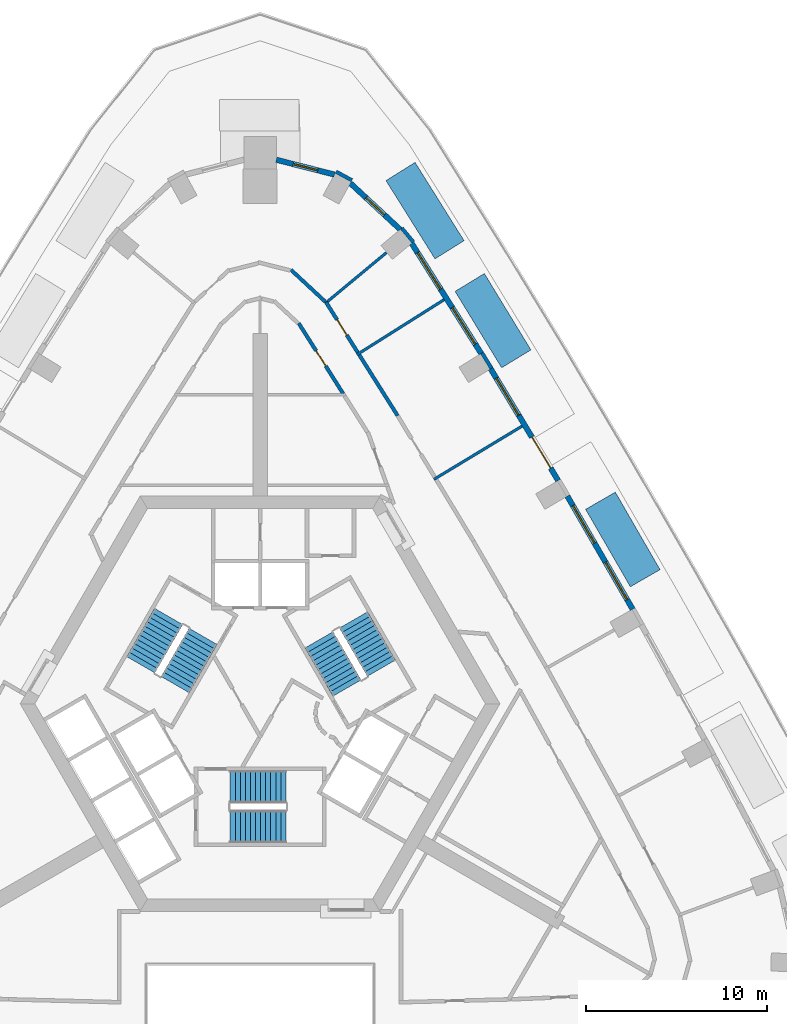
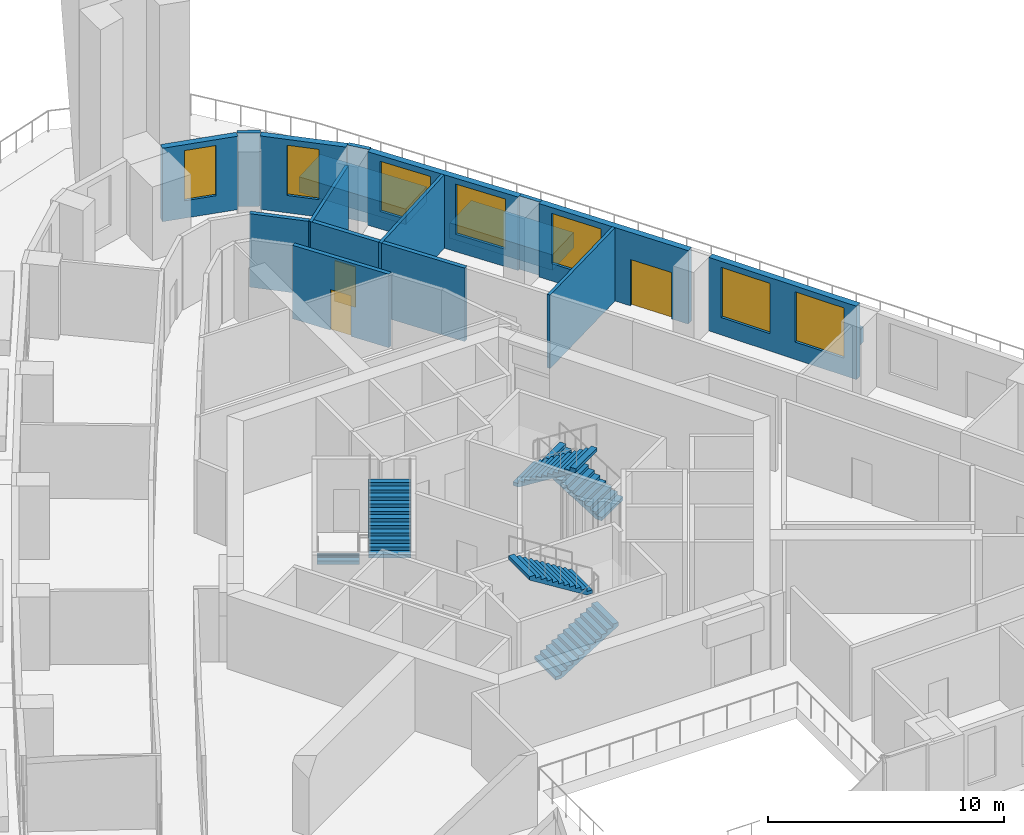
# One storey, part 10 of 13: 18 walls, 7 windows, 6 stair flights, 3 doors, 10 openings, 3 elements without a shape of their own.
"""IFC4 building model written with IfcOpenShell, lengths in metres."""

from ifc_helpers import new_model, si_unit, direction, frame, frame_2d, origin, place, context, subcontext, project, spatial, polyline, rectangle, outline, extrude, material, layer, layer_set, type_object, element, fill, aggregate, save


model = new_model("IFC4")

# Units and contexts
model_context = context("Model", 3, precision=1e-05, world=origin(), true_north=direction((0.0, 1.0)))
body_context = subcontext(model_context, "Body", "Model", "MODEL_VIEW")
ifc_project = project(units=[si_unit("LENGTHUNIT", "METRE"), si_unit("AREAUNIT", "SQUARE_METRE"), si_unit("VOLUMEUNIT", "CUBIC_METRE"), si_unit("PLANEANGLEUNIT", "RADIAN"), si_unit("MASSUNIT", "GRAM", prefix="KILO")], contexts=[model_context])

# Site, building, storey
site_placement = place(None, origin())
site = spatial("IfcSite", under=ifc_project, at=site_placement, CompositionType="ELEMENT")
building_placement = place(site_placement, origin())
building = spatial("IfcBuilding", under=site, at=building_placement, Name="Entoto Arch Interchange Tower", CompositionType="ELEMENT")
storey_placement = place(building_placement, frame((0.0, 0.0, 189.800048828125)))
storey = spatial("IfcBuildingStorey", under=building, at=storey_placement, Name="L42", CompositionType="ELEMENT", Elevation=189.800048828125)

# Walls
ifc_material_1 = material(Name="Gypsum board partition on steel studs", Category="steel")
ifc_layer_1 = layer(ifc_material_1, 0.14990234375)
ifc_layer_set_1 = layer_set([ifc_layer_1], Name="Gypsum board partition on steel studs")
wall_type_1 = type_object("IfcWallType", Name="PARTITION 150", PredefinedType="PARTITIONING", material=ifc_layer_set_1)
wall_1_placement = place(storey_placement, frame((9.6279296875, 14.924072265625, 0.0), z_axis=(0.0, 0.0, 1.0), x_axis=(0.855931736607, 0.517088834021, 0.0)))
element("IfcWall", 1, at=wall_1_placement, inside=storey, type_object=wall_type_1, Name="wall:L42:p113", PredefinedType="PARTITIONING", context=body_context, shape_type="SweptSolid", body=[
    extrude(rectangle(XDim=5.69921875, YDim=0.14990234375, at=frame_2d((2.849609375, 0.0))), origin(), (0.0, 0.0, 1.0), 3.800048828125),
])
wall_2_placement = place(storey_placement, frame((5.364013671875, 21.826904296875, 0.0), z_axis=(0.0, 0.0, 1.0), x_axis=(0.845716787596, 0.533632003517, 0.0)))
element("IfcWall", 2, at=wall_2_placement, inside=storey, type_object=wall_type_1, Name="wall:L42:p114", PredefinedType="PARTITIONING", context=body_context, shape_type="SweptSolid", body=[
    extrude(rectangle(XDim=5.700439453125, YDim=0.14990234375, at=frame_2d((2.85009765625, 0.0))), origin(), (0.0, 0.0, 1.0), 3.800048828125),
])
wall_3_placement = place(storey_placement, frame((3.5859375, 24.64599609375, 0.0), z_axis=(0.0, 0.0, 1.0), x_axis=(0.769538645463, 0.638600245176, 0.0)))
element("IfcWall", 3, at=wall_3_placement, inside=storey, type_object=wall_type_1, Name="wall:L42:p115", PredefinedType="PARTITIONING", context=body_context, shape_type="SweptSolid", body=[
    extrude(rectangle(XDim=4.43017578125, YDim=0.14990234375, at=frame_2d((2.215087890625, 0.0))), origin(), (0.0, 0.0, 1.0), 3.800048828125),
])

# Wall, opening, door
ifc_layer_2 = layer(ifc_material_1, 0.199951171875)
ifc_layer_set_2 = layer_set([ifc_layer_2], Name="Gypsum board partition on steel studs")
wall_type_2 = type_object("IfcWallType", Name="PARTITION 200", PredefinedType="PARTITIONING", material=ifc_layer_set_2)
wall_4_placement = place(storey_placement, frame((4.60205078125, 19.6630859375, 0.0), z_axis=(0.0, 0.0, 1.0), x_axis=(-0.533664968846, 0.845695986171, 0.0)))
wall_4 = element("IfcWall", 4, at=wall_4_placement, inside=storey, type_object=wall_type_2, Name="wall:L42:p011", PredefinedType="PARTITIONING", context=body_context, shape_type="SweptSolid", body=[
    extrude(rectangle(XDim=4.62109375, YDim=0.199951171875, at=frame_2d((2.310546875, 0.0))), origin(), (0.0, 0.0, 1.0), 3.800048828125),
])
opening_1_placement = place(wall_4_placement, frame((1.81005859375, 0.0, 0.0)))
opening_1 = element("IfcOpeningElement", 5, at=opening_1_placement, cuts=wall_4, Name="Opening L42-D23", PredefinedType="OPENING", context=body_context, shape_type="SweptSolid", body=[
    extrude(rectangle(XDim=1.0, YDim=2.10009765625, at=frame_2d((0.5, 1.050048828125))), frame((0.0, 0.10986328125, 0.0), z_axis=(0.0, -1.0, 0.0), x_axis=(1.0, 0.0, 0.0)), (0.0, 0.0, 1.0), 0.219970703125),
])
ifc_material_2 = material(Name="Timber door leaf in Steel S235 frame", Category="steel")
door_type_1 = type_object("IfcDoorType", Name="DOOR DS-10 1000x2100", OperationType="SINGLE_SWING_LEFT", PredefinedType="DOOR", material=ifc_material_2)
door_1_placement = place(opening_1_placement, origin())
door_1 = element("IfcDoor", 6, at=door_1_placement, inside=storey, type_object=door_type_1, Name="door:L42:23", OperationType="SINGLE_SWING_LEFT", OverallHeight=2.10009765625, OverallWidth=1.0, PredefinedType="DOOR", context=body_context, shape_type="SweptSolid", body=[
    extrude(rectangle(XDim=1.0, YDim=2.10009765625, at=frame_2d((0.5, 1.050048828125))), frame((0.0, 0.02490234375, 0.0), z_axis=(0.0, -1.0, 0.0), x_axis=(1.0, 0.0, 0.0)), (0.0, 0.0, 1.0), 0.050048828125),
])
fill(opening_1, door_1)

# Wall
wall_5_placement = place(storey_placement, frame((5.489013671875, 21.81689453125, 0.0), z_axis=(0.0, 0.0, 1.0), x_axis=(0.533790022325, -0.845617059943, 0.0)))
element("IfcWall", 7, at=wall_5_placement, inside=storey, type_object=wall_type_2, Name="wall:L42:p045", PredefinedType="PARTITIONING", context=body_context, shape_type="SweptSolid", body=[
    extrude(rectangle(XDim=3.98291015625, YDim=0.199951171875, at=frame_2d((1.991455078125, 0.0))), origin(), (0.0, 0.0, 1.0), 3.800048828125),
])

# Wall, opening, door
wall_6_placement = place(storey_placement, frame((3.64990234375, 24.73095703125, 0.0), z_axis=(0.0, 0.0, 1.0), x_axis=(0.533756056831, -0.845638499476, 0.0)))
wall_6 = element("IfcWall", 8, at=wall_6_placement, inside=storey, type_object=wall_type_2, Name="wall:L42:p047", PredefinedType="PARTITIONING", context=body_context, shape_type="SweptSolid", body=[
    extrude(rectangle(XDim=3.295654296875, YDim=0.199951171875, at=frame_2d((1.64794921875, 0.0))), origin(), (0.0, 0.0, 1.0), 3.800048828125),
])
opening_2_placement = place(wall_6_placement, frame((1.14794921875, 0.0, 0.0)))
opening_2 = element("IfcOpeningElement", 9, at=opening_2_placement, cuts=wall_6, Name="Opening L42-D08", PredefinedType="OPENING", context=body_context, shape_type="SweptSolid", body=[
    extrude(rectangle(XDim=1.0, YDim=2.10009765625, at=frame_2d((0.5, 1.050048828125))), frame((0.0, 0.10986328125, 0.0), z_axis=(0.0, -1.0, 0.0), x_axis=(1.0, 0.0, 0.0)), (0.0, 0.0, 1.0), 0.219970703125),
])
door_2_placement = place(opening_2_placement, origin())
door_2 = element("IfcDoor", 10, at=door_2_placement, inside=storey, type_object=door_type_1, Name="door:L42:08", OperationType="SINGLE_SWING_LEFT", OverallHeight=2.10009765625, OverallWidth=1.0, PredefinedType="DOOR", context=body_context, shape_type="SweptSolid", body=[
    extrude(rectangle(XDim=1.0, YDim=2.10009765625, at=frame_2d((0.5, 1.050048828125))), frame((0.0, 0.02490234375, 0.0), z_axis=(0.0, -1.0, 0.0), x_axis=(1.0, 0.0, 0.0)), (0.0, 0.0, 1.0), 0.050048828125),
])
fill(opening_2, door_2)

# Walls
wall_7_placement = place(storey_placement, frame((1.70703125, 26.52587890625, 0.0), z_axis=(0.0, 0.0, 1.0), x_axis=(0.732939008525, -0.680294355248, 0.0)))
element("IfcWall", 11, at=wall_7_placement, inside=storey, type_object=wall_type_2, Name="wall:L42:p051", PredefinedType="PARTITIONING", context=body_context, shape_type="SweptSolid", body=[
    extrude(rectangle(XDim=2.569091796875, YDim=0.199951171875, at=frame_2d((1.28466796875, 0.0))), origin(), (0.0, 0.0, 1.0), 3.800048828125),
])
ifc_material_3 = material(Name="Board-marked precast concrete C50/60", Category="concrete")
ifc_layer_3 = layer(ifc_material_3, 1.89990234375)
ifc_layer_set_3 = layer_set([ifc_layer_3], Name="Board-marked precast concrete C50/60")
wall_type_3 = type_object("IfcWallType", Name="PLANTER RC 1900 Afrocarpus falcatus", PredefinedType="STANDARD", material=ifc_layer_set_3)
wall_8_placement = place(storey_placement, frame((10.489013671875, 27.633056640625, 0.0), z_axis=(0.0, 0.0, 1.0), x_axis=(-0.530891180882, 0.847440000272, 0.0)))
element("IfcWall", 12, at=wall_8_placement, inside=storey, type_object=wall_type_3, Name="Terrace planter NE-07 L42", PredefinedType="STANDARD", context=body_context, shape_type="SweptSolid", body=[
    extrude(rectangle(XDim=5.1142578125, YDim=1.89990234375, at=frame_2d((2.55712890625, 0.0))), origin(), (0.0, 0.0, 1.0), 0.800048828125),
])
ifc_layer_4 = layer(ifc_material_3, 1.89990234375)
ifc_layer_set_4 = layer_set([ifc_layer_4], Name="Board-marked precast concrete C50/60")
wall_type_4 = type_object("IfcWallType", Name="PLANTER RC 1900 Juniperus procera", PredefinedType="STANDARD", material=ifc_layer_set_4)
wall_9_placement = place(storey_placement, frame((14.18408203125, 21.594970703125, 0.0), z_axis=(0.0, 0.0, 1.0), x_axis=(-0.520440925316, 0.853897677275, 0.0)))
element("IfcWall", 13, at=wall_9_placement, inside=storey, type_object=wall_type_4, Name="Terrace planter NE-06 L42", PredefinedType="STANDARD", context=body_context, shape_type="SweptSolid", body=[
    extrude(rectangle(XDim=4.95361328125, YDim=1.89990234375, at=frame_2d((2.476806640625, 0.0))), origin(), (0.0, 0.0, 1.0), 0.800048828125),
])
ifc_layer_5 = layer(ifc_material_3, 1.89990234375)
ifc_layer_set_5 = layer_set([ifc_layer_5], Name="Board-marked precast concrete C50/60")
wall_type_5 = type_object("IfcWallType", Name="PLANTER RC 1900 Vachellia abyssinica", PredefinedType="STANDARD", material=ifc_layer_set_5)
wall_10_placement = place(storey_placement, frame((21.321044921875, 9.449951171875, 0.0), z_axis=(0.0, 0.0, 1.0), x_axis=(-0.500029609304, 0.86600830817, 0.0)))
element("IfcWall", 14, at=wall_10_placement, inside=storey, type_object=wall_type_5, Name="Terrace planter NE-04 L42", PredefinedType="STANDARD", context=body_context, shape_type="SweptSolid", body=[
    extrude(rectangle(XDim=4.953857421875, YDim=1.89990234375, at=frame_2d((2.47705078125, 0.0))), origin(), (0.0, 0.0, 1.0), 0.800048828125),
])

# Wall, openings, windows
ifc_material_4 = material(Name="Welded tuff (ignimbrite) cladding, warm buff", Category="masonry")
ifc_layer_6 = layer(ifc_material_4, 0.300048828125)
ifc_layer_set_6 = layer_set([ifc_layer_6], Name="Welded tuff (ignimbrite) cladding, warm buff")
wall_type_6 = type_object("IfcWallType", Name="STONE INFILL WALL 300", PredefinedType="STANDARD", material=ifc_layer_set_6)
wall_11_placement = place(storey_placement, frame((20.6259765625, 7.73388671875, 0.0), z_axis=(0.0, 0.0, 1.0), x_axis=(-0.499948481376, 0.866055146033, 0.0)))
wall_11 = element("IfcWall", 15, at=wall_11_placement, inside=storey, type_object=wall_type_6, Name="Facade wall NE-03 L42", PredefinedType="STANDARD", context=body_context, shape_type="SweptSolid", body=[
    extrude(rectangle(XDim=7.230712890625, YDim=0.300048828125, at=frame_2d((3.615234375, 0.0))), origin(), (0.0, 0.0, 1.0), 3.800048828125),
])
opening_3_placement = place(wall_11_placement, frame((0.60791015625, 0.0, 0.89990234375)))
opening_3 = element("IfcOpeningElement", 16, at=opening_3_placement, cuts=wall_11, Name="Opening WO-A", PredefinedType="OPENING", context=body_context, shape_type="SweptSolid", body=[
    extrude(rectangle(XDim=2.39990234375, YDim=2.60009765625, at=frame_2d((1.199951171875, 1.300048828125))), frame((0.0, 0.16015625, 0.0), z_axis=(0.0, -1.0, 0.0), x_axis=(1.0, 0.0, 0.0)), (0.0, 0.0, 1.0), 0.320068359375),
])
opening_4_placement = place(wall_11_placement, frame((4.222900390625, 0.0, 0.89990234375)))
opening_4 = element("IfcOpeningElement", 17, at=opening_4_placement, cuts=wall_11, Name="Opening WO-A", PredefinedType="OPENING", context=body_context, shape_type="SweptSolid", body=[
    extrude(rectangle(XDim=2.39990234375, YDim=2.60009765625, at=frame_2d((1.199951171875, 1.300048828125))), frame((0.0, 0.16015625, 0.0), z_axis=(0.0, -1.0, 0.0), x_axis=(1.0, 0.0, 0.0)), (0.0, 0.0, 1.0), 0.320068359375),
])
ifc_material_5 = material(Name="Clear glass, low-e double glazed", Category="glass")
window_type_1 = type_object("IfcWindowType", Name="WINDOW WO-A 2400x2600", PartitioningType="DOUBLE_PANEL_VERTICAL", PredefinedType="WINDOW", material=ifc_material_5)
window_1_placement = place(opening_3_placement, origin())
window_1 = element("IfcWindow", 18, at=window_1_placement, inside=storey, type_object=window_type_1, Name="Window WO-A NE-03 L42", OverallHeight=2.60009765625, OverallWidth=2.39990234375, PartitioningType="SINGLE_PANEL", PredefinedType="WINDOW", context=body_context, shape_type="SweptSolid", body=[
    extrude(rectangle(XDim=2.39990234375, YDim=2.60009765625, at=frame_2d((1.199951171875, 1.300048828125))), frame((0.0, 0.030029296875, 0.0), z_axis=(0.0, -1.0, 0.0), x_axis=(1.0, 0.0, 0.0)), (0.0, 0.0, 1.0), 0.06005859375),
])
fill(opening_3, window_1)
window_2_placement = place(opening_4_placement, origin())
window_2 = element("IfcWindow", 19, at=window_2_placement, inside=storey, type_object=window_type_1, Name="Window WO-A NE-03 L42", OverallHeight=2.60009765625, OverallWidth=2.39990234375, PartitioningType="SINGLE_PANEL", PredefinedType="WINDOW", context=body_context, shape_type="SweptSolid", body=[
    extrude(rectangle(XDim=2.39990234375, YDim=2.60009765625, at=frame_2d((1.199951171875, 1.300048828125))), frame((0.0, 0.030029296875, 0.0), z_axis=(0.0, -1.0, 0.0), x_axis=(1.0, 0.0, 0.0)), (0.0, 0.0, 1.0), 0.06005859375),
])
fill(opening_4, window_2)

# Wall, openings, door, window
wall_12_placement = place(storey_placement, frame((16.50390625, 14.85498046875, 0.0), z_axis=(0.0, 0.0, 1.0), x_axis=(-0.517159962006, 0.855888762456, 0.0)))
wall_12 = element("IfcWall", 20, at=wall_12_placement, inside=storey, type_object=wall_type_6, Name="Facade wall NE-04 L42", PredefinedType="STANDARD", context=body_context, shape_type="SweptSolid", body=[
    extrude(rectangle(XDim=7.22998046875, YDim=0.300048828125, at=frame_2d((3.614990234375, 0.0))), origin(), (0.0, 0.0, 1.0), 3.800048828125),
])
opening_5_placement = place(wall_12_placement, frame((0.806884765625, 0.0, 0.0)))
opening_5 = element("IfcOpeningElement", 21, at=opening_5_placement, cuts=wall_12, Name="Opening DT-NE-04-L42", PredefinedType="OPENING", context=body_context, shape_type="SweptSolid", body=[
    extrude(rectangle(XDim=2.0, YDim=2.39990234375, at=frame_2d((1.0, 1.199951171875))), frame((0.0, 0.16015625, 0.0), z_axis=(0.0, -1.0, 0.0), x_axis=(1.0, 0.0, 0.0)), (0.0, 0.0, 1.0), 0.320068359375),
])
opening_6_placement = place(wall_12_placement, frame((4.221923828125, 0.0, 0.89990234375)))
opening_6 = element("IfcOpeningElement", 22, at=opening_6_placement, cuts=wall_12, Name="Opening WO-A", PredefinedType="OPENING", context=body_context, shape_type="SweptSolid", body=[
    extrude(rectangle(XDim=2.39990234375, YDim=2.60009765625, at=frame_2d((1.199951171875, 1.300048828125))), frame((0.0, 0.16015625, 0.0), z_axis=(0.0, -1.0, 0.0), x_axis=(1.0, 0.0, 0.0)), (0.0, 0.0, 1.0), 0.320068359375),
])
ifc_material_6 = material(Name="Aluminium and clear glass, anodised", Category="aluminium")
door_type_2 = type_object("IfcDoorType", Name="TERRACE DOOR DT 2000x2400", OperationType="SLIDING_TO_LEFT", PredefinedType="DOOR", material=ifc_material_6)
door_3_placement = place(opening_5_placement, origin())
door_3 = element("IfcDoor", 23, at=door_3_placement, inside=storey, type_object=door_type_2, Name="Terrace door NE-04 L42", OperationType="SLIDING_TO_LEFT", OverallHeight=2.39990234375, OverallWidth=2.0, PredefinedType="DOOR", context=body_context, shape_type="SweptSolid", body=[
    extrude(rectangle(XDim=2.0, YDim=2.39990234375, at=frame_2d((1.0, 1.199951171875))), frame((0.0, 0.02490234375, 0.0), z_axis=(0.0, -1.0, 0.0), x_axis=(1.0, 0.0, 0.0)), (0.0, 0.0, 1.0), 0.050048828125),
])
fill(opening_5, door_3)
window_3_placement = place(opening_6_placement, origin())
window_3 = element("IfcWindow", 24, at=window_3_placement, inside=storey, type_object=window_type_1, Name="Window WO-A NE-04 L42", OverallHeight=2.60009765625, OverallWidth=2.39990234375, PartitioningType="SINGLE_PANEL", PredefinedType="WINDOW", context=body_context, shape_type="SweptSolid", body=[
    extrude(rectangle(XDim=2.39990234375, YDim=2.60009765625, at=frame_2d((1.199951171875, 1.300048828125))), frame((0.0, 0.030029296875, 0.0), z_axis=(0.0, -1.0, 0.0), x_axis=(1.0, 0.0, 0.0)), (0.0, 0.0, 1.0), 0.06005859375),
])
fill(opening_6, window_3)

# Wall, openings, windows
wall_13_placement = place(storey_placement, frame((12.240966796875, 21.89208984375, 0.0), z_axis=(0.0, 0.0, 1.0), x_axis=(-0.533680752529, 0.845686025887, 0.0)))
wall_13 = element("IfcWall", 25, at=wall_13_placement, inside=storey, type_object=wall_type_6, Name="Facade wall NE-05 L42", PredefinedType="STANDARD", context=body_context, shape_type="SweptSolid", body=[
    extrude(rectangle(XDim=7.208251953125, YDim=0.300048828125, at=frame_2d((3.60400390625, 0.0))), origin(), (0.0, 0.0, 1.0), 3.800048828125),
])
opening_7_placement = place(wall_13_placement, frame((0.60205078125, 0.0, 0.89990234375)))
opening_7 = element("IfcOpeningElement", 26, at=opening_7_placement, cuts=wall_13, Name="Opening WO-A", PredefinedType="OPENING", context=body_context, shape_type="SweptSolid", body=[
    extrude(rectangle(XDim=2.39990234375, YDim=2.60009765625, at=frame_2d((1.199951171875, 1.300048828125))), frame((0.0, 0.16015625, 0.0), z_axis=(0.0, -1.0, 0.0), x_axis=(1.0, 0.0, 0.0)), (0.0, 0.0, 1.0), 0.320068359375),
])
opening_8_placement = place(wall_13_placement, frame((4.2060546875, 0.0, 0.89990234375)))
opening_8 = element("IfcOpeningElement", 27, at=opening_8_placement, cuts=wall_13, Name="Opening WO-A", PredefinedType="OPENING", context=body_context, shape_type="SweptSolid", body=[
    extrude(rectangle(XDim=2.39990234375, YDim=2.60009765625, at=frame_2d((1.199951171875, 1.300048828125))), frame((0.0, 0.16015625, 0.0), z_axis=(0.0, -1.0, 0.0), x_axis=(1.0, 0.0, 0.0)), (0.0, 0.0, 1.0), 0.320068359375),
])
window_4_placement = place(opening_7_placement, origin())
window_4 = element("IfcWindow", 28, at=window_4_placement, inside=storey, type_object=window_type_1, Name="Window WO-A NE-05 L42", OverallHeight=2.60009765625, OverallWidth=2.39990234375, PartitioningType="SINGLE_PANEL", PredefinedType="WINDOW", context=body_context, shape_type="SweptSolid", body=[
    extrude(rectangle(XDim=2.39990234375, YDim=2.60009765625, at=frame_2d((1.199951171875, 1.300048828125))), frame((0.0, 0.030029296875, 0.0), z_axis=(0.0, -1.0, 0.0), x_axis=(1.0, 0.0, 0.0)), (0.0, 0.0, 1.0), 0.06005859375),
])
fill(opening_7, window_4)
window_5_placement = place(opening_8_placement, origin())
window_5 = element("IfcWindow", 29, at=window_5_placement, inside=storey, type_object=window_type_1, Name="Window WO-A NE-05 L42", OverallHeight=2.60009765625, OverallWidth=2.39990234375, PartitioningType="SINGLE_PANEL", PredefinedType="WINDOW", context=body_context, shape_type="SweptSolid", body=[
    extrude(rectangle(XDim=2.39990234375, YDim=2.60009765625, at=frame_2d((1.199951171875, 1.300048828125))), frame((0.0, 0.030029296875, 0.0), z_axis=(0.0, -1.0, 0.0), x_axis=(1.0, 0.0, 0.0)), (0.0, 0.0, 1.0), 0.06005859375),
])
fill(opening_8, window_5)

# Wall, opening, window
wall_14_placement = place(storey_placement, frame((7.757080078125, 28.756103515625, 0.0), z_axis=(0.0, 0.0, 1.0), x_axis=(-0.732897351132, 0.680339233547, 0.0)))
wall_14 = element("IfcWall", 30, at=wall_14_placement, inside=storey, type_object=wall_type_6, Name="Facade wall N-01 L42", PredefinedType="STANDARD", context=body_context, shape_type="SweptSolid", body=[
    extrude(rectangle(XDim=3.767333984375, YDim=0.300048828125, at=frame_2d((1.8837890625, 0.0))), origin(), (0.0, 0.0, 1.0), 3.800048828125),
])
opening_9_placement = place(wall_14_placement, frame((1.18408203125, 0.0, 0.89990234375)))
opening_9 = element("IfcOpeningElement", 31, at=opening_9_placement, cuts=wall_14, Name="Opening WO-B", PredefinedType="OPENING", context=body_context, shape_type="SweptSolid", body=[
    extrude(rectangle(XDim=1.39990234375, YDim=2.60009765625, at=frame_2d((0.699951171875, 1.300048828125))), frame((0.0, 0.16015625, 0.0), z_axis=(0.0, -1.0, 0.0), x_axis=(1.0, 0.0, 0.0)), (0.0, 0.0, 1.0), 0.320068359375),
])
window_type_2 = type_object("IfcWindowType", Name="WINDOW WO-B 1400x2600", PartitioningType="DOUBLE_PANEL_VERTICAL", PredefinedType="WINDOW", material=ifc_material_5)
window_6_placement = place(opening_9_placement, origin())
window_6 = element("IfcWindow", 32, at=window_6_placement, inside=storey, type_object=window_type_2, Name="Window WO-B N-01 L42", OverallHeight=2.60009765625, OverallWidth=1.39990234375, PartitioningType="SINGLE_PANEL", PredefinedType="WINDOW", context=body_context, shape_type="SweptSolid", body=[
    extrude(rectangle(XDim=1.39990234375, YDim=2.60009765625, at=frame_2d((0.699951171875, 1.300048828125))), frame((0.0, 0.030029296875, 0.0), z_axis=(0.0, -1.0, 0.0), x_axis=(1.0, 0.0, 0.0)), (0.0, 0.0, 1.0), 0.06005859375),
])
fill(opening_9, window_6)

wall_15_placement = place(storey_placement, frame((4.1201171875, 31.7958984375, 0.0), z_axis=(0.0, 0.0, 1.0), x_axis=(-0.969087915137, 0.24671565158, 0.0)))
wall_15 = element("IfcWall", 33, at=wall_15_placement, inside=storey, type_object=wall_type_6, Name="Facade wall N-02 L42", PredefinedType="STANDARD", context=body_context, shape_type="SweptSolid", body=[
    extrude(rectangle(XDim=3.323974609375, YDim=0.300048828125, at=frame_2d((1.662109375, 0.0))), origin(), (0.0, 0.0, 1.0), 3.800048828125),
])
opening_10_placement = place(wall_15_placement, frame((0.9619140625, 0.0, 0.89990234375)))
opening_10 = element("IfcOpeningElement", 34, at=opening_10_placement, cuts=wall_15, Name="Opening WO-B", PredefinedType="OPENING", context=body_context, shape_type="SweptSolid", body=[
    extrude(rectangle(XDim=1.39990234375, YDim=2.60009765625, at=frame_2d((0.699951171875, 1.300048828125))), frame((0.0, 0.16015625, 0.0), z_axis=(0.0, -1.0, 0.0), x_axis=(1.0, 0.0, 0.0)), (0.0, 0.0, 1.0), 0.320068359375),
])
window_7_placement = place(opening_10_placement, origin())
window_7 = element("IfcWindow", 35, at=window_7_placement, inside=storey, type_object=window_type_2, Name="Window WO-B N-02 L42", OverallHeight=2.60009765625, OverallWidth=1.39990234375, PartitioningType="SINGLE_PANEL", PredefinedType="WINDOW", context=body_context, shape_type="SweptSolid", body=[
    extrude(rectangle(XDim=1.39990234375, YDim=2.60009765625, at=frame_2d((0.699951171875, 1.300048828125))), frame((0.0, 0.030029296875, 0.0), z_axis=(0.0, -1.0, 0.0), x_axis=(1.0, 0.0, 0.0)), (0.0, 0.0, 1.0), 0.06005859375),
])
fill(opening_10, window_7)

# Walls
ifc_layer_7 = layer(ifc_material_4, 0.199951171875)
ifc_layer_set_7 = layer_set([ifc_layer_7], Name="Welded tuff (ignimbrite) cladding, warm buff")
wall_type_7 = type_object("IfcWallType", Name="STONE PIER CLADDING 200", PredefinedType="STANDARD", material=ifc_layer_set_7)
wall_16_placement = place(storey_placement, frame((5.083984375, 31.47802734375, 0.0), z_axis=(0.0, 0.0, 1.0), x_axis=(-0.878250009632, 0.478201757191, 0.0)))
element("IfcWall", 36, at=wall_16_placement, inside=storey, type_object=wall_type_7, Name="Stone pier N1 L42", PredefinedType="STANDARD", context=body_context, shape_type="SweptSolid", body=[
    extrude(rectangle(XDim=0.999755859375, YDim=0.199951171875, at=frame_2d((0.5, 0.0))), origin(), (0.0, 0.0, 1.0), 3.800048828125),
])
wall_17_placement = place(storey_placement, frame((12.81298828125, 21.071044921875, 0.0), z_axis=(0.0, 0.0, 1.0), x_axis=(-0.525648735675, 0.850701714282, 0.0)))
element("IfcWall", 37, at=wall_17_placement, inside=storey, type_object=wall_type_7, Name="Stone pier NE05 L42", PredefinedType="STANDARD", context=body_context, shape_type="SweptSolid", body=[
    extrude(rectangle(XDim=1.00048828125, YDim=0.199951171875, at=frame_2d((0.500244140625, 0.0))), origin(), (0.0, 0.0, 1.0), 3.800048828125),
])
wall_18_placement = place(storey_placement, frame((8.48388671875, 28.06103515625, 0.0), z_axis=(0.0, 0.0, 1.0), x_axis=(-0.637972365578, 0.770059257953, 0.0)))
element("IfcWall", 38, at=wall_18_placement, inside=storey, type_object=wall_type_7, Name="Stone pier NE06 L42", PredefinedType="STANDARD", context=body_context, shape_type="SweptSolid", body=[
    extrude(rectangle(XDim=1.0, YDim=0.199951171875, at=frame_2d((0.5, 0.0))), origin(), (0.0, 0.0, 1.0), 3.800048828125),
])

# Stair, stair flights
ifc_material_7 = material(Name="Concrete C40/50", Category="concrete")
stair_type = type_object("IfcStairType", Name="EXIT STAIR RC 1800", PredefinedType="HALF_TURN_STAIR", material=ifc_material_7)
stair_1_placement = place(storey_placement, origin())
stair_1 = element("IfcStair", 39, at=stair_1_placement, inside=storey, type_object=stair_type, Name="L42 Exit stair S", PredefinedType="HALF_TURN_STAIR")
stair_flight_type = type_object("IfcStairFlightType", Name="EXIT STAIR FLIGHT RC 1800", PredefinedType="STRAIGHT", material=ifc_material_7)
stair_flight_1_placement = place(storey_placement, frame((-1.64990234375, -4.300048828125, 0.0), z_axis=(0.0, 0.0, 1.0), x_axis=(1.0, 0.0, 0.0)))
stair_flight_1 = element("IfcStairFlight", 40, at=stair_flight_1_placement, type_object=stair_flight_type, Name="ST-S flight 1", NumberOfRisers=12, NumberOfTreads=11, PredefinedType="STRAIGHT", RiserHeight=0.175, TreadLength=0.28, context=body_context, shape_type="SweptSolid", body=[
    extrude(outline(polyline([(-0.0029296875, 0.0), (-0.0029296875, 0.175048828125), (0.280029296875, 0.175048828125), (0.280029296875, 0.35009765625), (0.56005859375, 0.35009765625), (0.56005859375, 0.52490234375), (0.840087890625, 0.52490234375), (0.840087890625, 0.699951171875), (1.1201171875, 0.699951171875), (1.1201171875, 0.875), (1.39990234375, 0.875), (1.39990234375, 1.050048828125), (1.679931640625, 1.050048828125), (1.679931640625, 1.22509765625), (1.9599609375, 1.22509765625), (1.9599609375, 1.39990234375), (2.239990234375, 1.39990234375), (2.239990234375, 1.574951171875), (2.52001953125, 1.574951171875), (2.52001953125, 1.75), (2.800048828125, 1.75), (2.800048828125, 1.925048828125), (3.080078125, 1.925048828125), (3.0830078125, 1.925048828125), (3.0830078125, 1.75), (0.28271484375, 0.0), (-0.0029296875, 0.0)])), frame((0.0, 0.89990234375, 0.0), z_axis=(0.0, -1.0, 0.0), x_axis=(1.0, 0.0, 0.0)), (0.0, 0.0, 1.0), 1.800048828125),
])
stair_flight_2_placement = place(storey_placement, frame((1.429931640625, -2.10009765625, 2.099853515625), z_axis=(0.0, 0.0, 1.0), x_axis=(-1.0, 0.0, 0.0)))
stair_flight_2 = element("IfcStairFlight", 41, at=stair_flight_2_placement, type_object=stair_flight_type, Name="ST-S flight 2", NumberOfRisers=12, NumberOfTreads=11, PredefinedType="STRAIGHT", RiserHeight=0.175, TreadLength=0.28, context=body_context, shape_type="SweptSolid", body=[
    extrude(outline(polyline([(-0.0029296875, 0.0), (-0.0029296875, 0.175048828125), (0.280029296875, 0.175048828125), (0.280029296875, 0.35009765625), (0.56005859375, 0.35009765625), (0.56005859375, 0.52490234375), (0.840087890625, 0.52490234375), (0.840087890625, 0.699951171875), (1.1201171875, 0.699951171875), (1.1201171875, 0.875), (1.39990234375, 0.875), (1.39990234375, 1.050048828125), (1.679931640625, 1.050048828125), (1.679931640625, 1.22509765625), (1.9599609375, 1.22509765625), (1.9599609375, 1.39990234375), (2.239990234375, 1.39990234375), (2.239990234375, 1.574951171875), (2.52001953125, 1.574951171875), (2.52001953125, 1.75), (2.800048828125, 1.75), (2.800048828125, 1.925048828125), (3.080078125, 1.925048828125), (3.0830078125, 1.925048828125), (3.0830078125, 1.75), (0.28271484375, 0.0), (-0.0029296875, 0.0)])), frame((0.0, 0.89990234375, 0.0), z_axis=(0.0, -1.0, 0.0), x_axis=(1.0, 0.0, 0.0)), (0.0, 0.0, 1.0), 1.800048828125),
])
aggregate(stair_1, [stair_flight_1, stair_flight_2])

stair_2_placement = place(storey_placement, origin())
stair_2 = element("IfcStair", 42, at=stair_2_placement, inside=storey, type_object=stair_type, Name="L42 Exit stair NE", PredefinedType="HALF_TURN_STAIR")
stair_flight_3_placement = place(storey_placement, frame((6.7138671875, 4.470947265625, 0.0), z_axis=(0.0, 0.0, 1.0), x_axis=(-0.5, 0.866025403784, 0.0)))
stair_flight_3 = element("IfcStairFlight", 43, at=stair_flight_3_placement, type_object=stair_flight_type, Name="ST-NE flight 1", NumberOfRisers=12, NumberOfTreads=11, PredefinedType="STRAIGHT", RiserHeight=0.175, TreadLength=0.28, context=body_context, shape_type="SweptSolid", body=[
    extrude(outline(polyline([(-0.0029296875, 0.0), (-0.0029296875, 0.175048828125), (0.280029296875, 0.175048828125), (0.280029296875, 0.35009765625), (0.56005859375, 0.35009765625), (0.56005859375, 0.52490234375), (0.840087890625, 0.52490234375), (0.840087890625, 0.699951171875), (1.1201171875, 0.699951171875), (1.1201171875, 0.875), (1.39990234375, 0.875), (1.39990234375, 1.050048828125), (1.679931640625, 1.050048828125), (1.679931640625, 1.22509765625), (1.9599609375, 1.22509765625), (1.9599609375, 1.39990234375), (2.239990234375, 1.39990234375), (2.239990234375, 1.574951171875), (2.52001953125, 1.574951171875), (2.52001953125, 1.75), (2.800048828125, 1.75), (2.800048828125, 1.925048828125), (3.080078125, 1.925048828125), (3.0830078125, 1.925048828125), (3.0830078125, 1.75), (0.28271484375, 0.0), (-0.0029296875, 0.0)])), frame((0.0, 0.89990234375, 0.0), z_axis=(0.0, -1.0, 0.0), x_axis=(1.0, 0.0, 0.0)), (0.0, 0.0, 1.0), 1.800048828125),
])
stair_flight_4_placement = place(storey_placement, frame((3.268798828125, 6.038330078125, 2.099853515625), z_axis=(0.0, 0.0, 1.0), x_axis=(0.5, -0.866025403784, 0.0)))
stair_flight_4 = element("IfcStairFlight", 44, at=stair_flight_4_placement, type_object=stair_flight_type, Name="ST-NE flight 2", NumberOfRisers=12, NumberOfTreads=11, PredefinedType="STRAIGHT", RiserHeight=0.175, TreadLength=0.28, context=body_context, shape_type="SweptSolid", body=[
    extrude(outline(polyline([(-0.0029296875, 0.0), (-0.0029296875, 0.175048828125), (0.280029296875, 0.175048828125), (0.280029296875, 0.35009765625), (0.56005859375, 0.35009765625), (0.56005859375, 0.52490234375), (0.840087890625, 0.52490234375), (0.840087890625, 0.699951171875), (1.1201171875, 0.699951171875), (1.1201171875, 0.875), (1.39990234375, 0.875), (1.39990234375, 1.050048828125), (1.679931640625, 1.050048828125), (1.679931640625, 1.22509765625), (1.9599609375, 1.22509765625), (1.9599609375, 1.39990234375), (2.239990234375, 1.39990234375), (2.239990234375, 1.574951171875), (2.52001953125, 1.574951171875), (2.52001953125, 1.75), (2.800048828125, 1.75), (2.800048828125, 1.925048828125), (3.080078125, 1.925048828125), (3.0830078125, 1.925048828125), (3.0830078125, 1.75), (0.28271484375, 0.0), (-0.0029296875, 0.0)])), frame((0.0, 0.89990234375, 0.0), z_axis=(0.0, -1.0, 0.0), x_axis=(1.0, 0.0, 0.0)), (0.0, 0.0, 1.0), 1.800048828125),
])
aggregate(stair_2, [stair_flight_3, stair_flight_4])

stair_3_placement = place(storey_placement, origin())
stair_3 = element("IfcStair", 45, at=stair_3_placement, inside=storey, type_object=stair_type, Name="L42 Exit stair NW", PredefinedType="HALF_TURN_STAIR")
stair_flight_5_placement = place(storey_placement, frame((-5.06396484375, 7.328857421875, 0.0), z_axis=(0.0, 0.0, 1.0), x_axis=(-0.5, -0.866025403784, 0.0)))
stair_flight_5 = element("IfcStairFlight", 46, at=stair_flight_5_placement, type_object=stair_flight_type, Name="ST-NW flight 1", NumberOfRisers=12, NumberOfTreads=11, PredefinedType="STRAIGHT", RiserHeight=0.175, TreadLength=0.28, context=body_context, shape_type="SweptSolid", body=[
    extrude(outline(polyline([(-0.0029296875, 0.0), (-0.0029296875, 0.175048828125), (0.280029296875, 0.175048828125), (0.280029296875, 0.35009765625), (0.56005859375, 0.35009765625), (0.56005859375, 0.52490234375), (0.840087890625, 0.52490234375), (0.840087890625, 0.699951171875), (1.1201171875, 0.699951171875), (1.1201171875, 0.875), (1.39990234375, 0.875), (1.39990234375, 1.050048828125), (1.679931640625, 1.050048828125), (1.679931640625, 1.22509765625), (1.9599609375, 1.22509765625), (1.9599609375, 1.39990234375), (2.239990234375, 1.39990234375), (2.239990234375, 1.574951171875), (2.52001953125, 1.574951171875), (2.52001953125, 1.75), (2.800048828125, 1.75), (2.800048828125, 1.925048828125), (3.080078125, 1.925048828125), (3.0830078125, 1.925048828125), (3.0830078125, 1.75), (0.28271484375, 0.0), (-0.0029296875, 0.0)])), frame((0.0, 0.89990234375, 0.0), z_axis=(0.0, -1.0, 0.0), x_axis=(1.0, 0.0, 0.0)), (0.0, 0.0, 1.0), 1.800048828125),
])
stair_flight_6_placement = place(storey_placement, frame((-4.69873046875, 3.5615234375, 2.099853515625), z_axis=(0.0, 0.0, 1.0), x_axis=(0.5, 0.866025403784, 0.0)))
stair_flight_6 = element("IfcStairFlight", 47, at=stair_flight_6_placement, type_object=stair_flight_type, Name="ST-NW flight 2", NumberOfRisers=12, NumberOfTreads=11, PredefinedType="STRAIGHT", RiserHeight=0.175, TreadLength=0.28, context=body_context, shape_type="SweptSolid", body=[
    extrude(outline(polyline([(-0.0029296875, 0.0), (-0.0029296875, 0.175048828125), (0.280029296875, 0.175048828125), (0.280029296875, 0.35009765625), (0.56005859375, 0.35009765625), (0.56005859375, 0.52490234375), (0.840087890625, 0.52490234375), (0.840087890625, 0.699951171875), (1.1201171875, 0.699951171875), (1.1201171875, 0.875), (1.39990234375, 0.875), (1.39990234375, 1.050048828125), (1.679931640625, 1.050048828125), (1.679931640625, 1.22509765625), (1.9599609375, 1.22509765625), (1.9599609375, 1.39990234375), (2.239990234375, 1.39990234375), (2.239990234375, 1.574951171875), (2.52001953125, 1.574951171875), (2.52001953125, 1.75), (2.800048828125, 1.75), (2.800048828125, 1.925048828125), (3.080078125, 1.925048828125), (3.0830078125, 1.925048828125), (3.0830078125, 1.75), (0.28271484375, 0.0), (-0.0029296875, 0.0)])), frame((0.0, 0.89990234375, 0.0), z_axis=(0.0, -1.0, 0.0), x_axis=(1.0, 0.0, 0.0)), (0.0, 0.0, 1.0), 1.800048828125),
])
aggregate(stair_3, [stair_flight_5, stair_flight_6])

save(model, "model.ifc")
